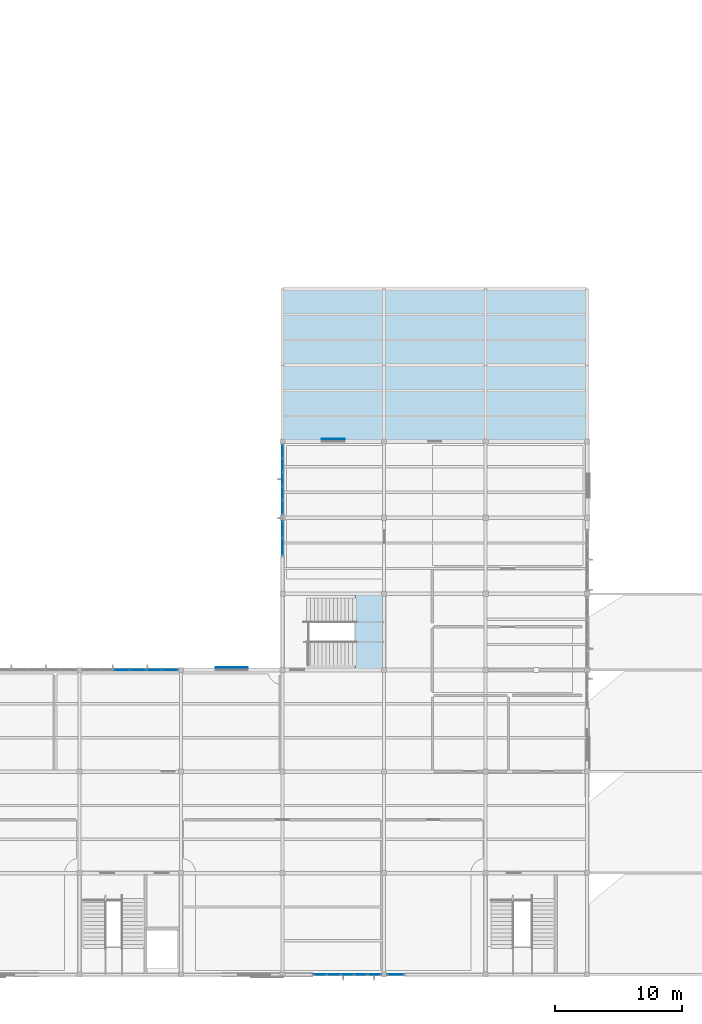
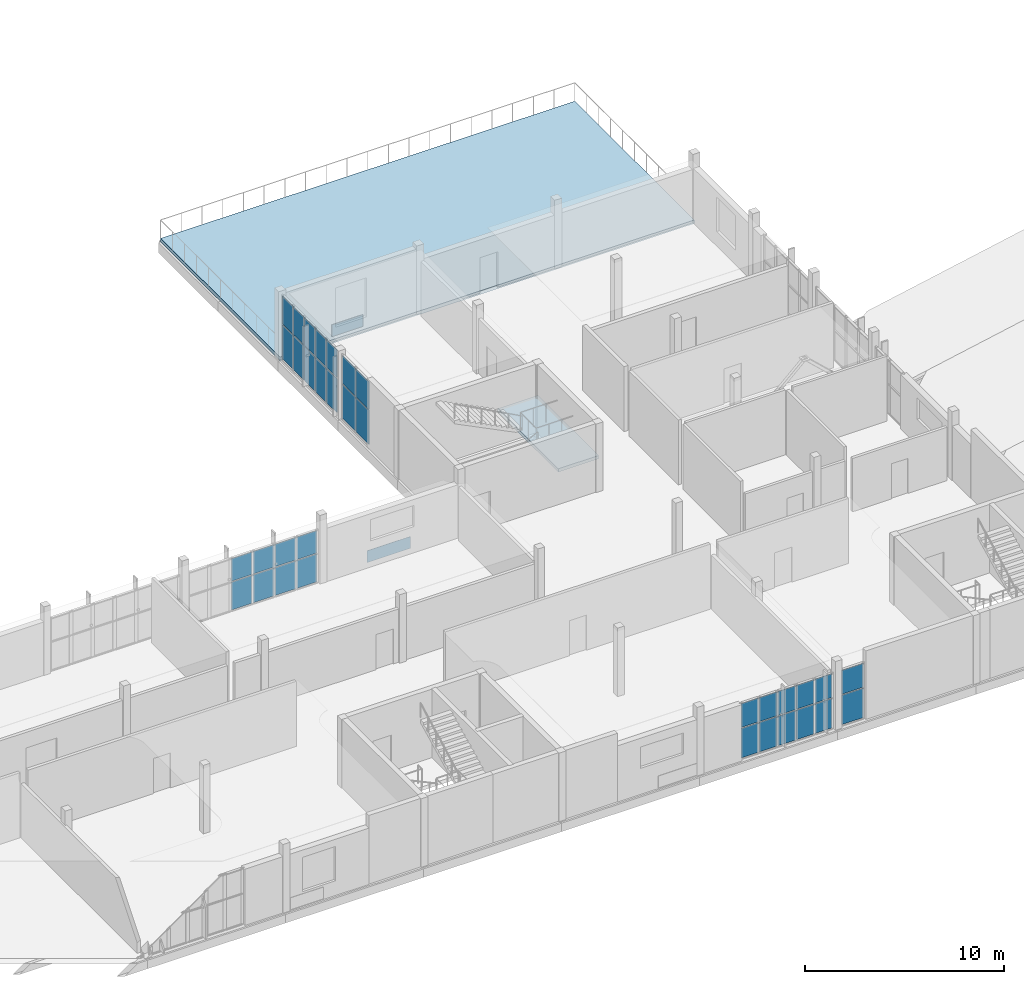
# One storey, part 28 of 45: 36 plates, 2 slabs, 6 elements without a shape of their own.
"""IFC4 building model written with IfcOpenShell, lengths in metres."""

from ifc_helpers import new_model, si_unit, direction, frame, origin, origin_2d, place, context, subcontext, project, spatial, polyline, rectangle, outline, extrude, material, layer, layer_set, type_object, element, aggregate, save


model = new_model("IFC4")

# Units and contexts
model_context = context("Model", 3, precision=1e-05, world=origin(), true_north=direction((0.0, 1.0)))
body_context = subcontext(model_context, "Body", "Model", "MODEL_VIEW")
ifc_project = project(units=[si_unit("LENGTHUNIT", "METRE"), si_unit("AREAUNIT", "SQUARE_METRE"), si_unit("VOLUMEUNIT", "CUBIC_METRE"), si_unit("PLANEANGLEUNIT", "RADIAN"), si_unit("MASSUNIT", "GRAM", prefix="KILO")], contexts=[model_context])

# Site, building, storey
site_placement = place(None, origin())
site = spatial("IfcSite", under=ifc_project, at=site_placement, CompositionType="ELEMENT")
building_placement = place(site_placement, origin())
building = spatial("IfcBuilding", under=site, at=building_placement, Name="Solvane Community Centre", CompositionType="ELEMENT")
storey_placement = place(building_placement, frame((0.0, 0.0, 13.800048828125)))
storey = spatial("IfcBuildingStorey", under=building, at=storey_placement, Name="L03", CompositionType="ELEMENT", Elevation=13.800048828125)

# Plates
ifc_material_1 = material(Name="Anodised bronze aluminium AW-6063 T6", Category="aluminium")
ifc_layer_1 = layer(ifc_material_1, 0.02392578125)
ifc_layer_set_1 = layer_set([ifc_layer_1], Name="Anodised bronze aluminium AW-6063 T6")
plate_type_1 = type_object("IfcPlateType", Name="Bronze Spandrel Cassette 24mm", PredefinedType="SHEET", material=ifc_layer_set_1)
plate_1_placement = place(storey_placement, frame((112.0, 30.18701171875, 0.06005859375), z_axis=(0.0, 0.0, 1.0), x_axis=(1.0, 0.0, 0.0)))
element("IfcPlate", 1, at=plate_1_placement, inside=storey, type_object=plate_type_1, Name="Art Deco Spandrel SPC-L03-046", PredefinedType="SHEET", context=body_context, shape_type="SweptSolid", body=[
    extrude(rectangle(XDim=2.5, YDim=0.02392578125, at=origin_2d()), origin(), (0.0, 0.0, 1.0), 0.719970703125),
])
plate_2_placement = place(storey_placement, frame((120.0, 48.18701171875, 0.06005859375), z_axis=(0.0, 0.0, 1.0), x_axis=(1.0, 0.0, 0.0)))
element("IfcPlate", 2, at=plate_2_placement, inside=storey, type_object=plate_type_1, Name="Art Deco Spandrel SPC-L03-047", PredefinedType="SHEET", context=body_context, shape_type="SweptSolid", body=[
    extrude(rectangle(XDim=1.800048828125, YDim=0.02392578125, at=origin_2d()), origin(), (0.0, 0.0, 1.0), 0.719970703125),
])

# Curtain wall, plates
ifc_layer_2 = layer(ifc_material_1, 0.199951171875)
ifc_layer_set_2 = layer_set([ifc_layer_2], Name="Anodised bronze aluminium AW-6063 T6")
curtain_wall_type_1 = type_object("IfcCurtainWallType", Name="Courtyard Cloister Curtain Wall [14x34dm]", PredefinedType="NOTDEFINED", material=ifc_layer_set_2)
curtain_wall_1_placement = place(storey_placement, origin())
curtain_wall_1 = element("IfcCurtainWall", 3, at=curtain_wall_1_placement, inside=storey, type_object=curtain_wall_type_1, Name="Curtain Wall CW-L03-1256_60-215", PredefinedType="NOTDEFINED")
ifc_material_2 = material(Name="Tempered low-E double glazing", Category="glass")
ifc_layer_3 = layer(ifc_material_2, 0.028076171875)
ifc_layer_set_3 = layer_set([ifc_layer_3], Name="Tempered low-E double glazing")
plate_type_2 = type_object("IfcPlateType", Name="Cloister Vision Glazing Panel 28mm [14x34dm]", PredefinedType="CURTAIN_PANEL", material=ifc_layer_set_3)
plate_3_placement = place(storey_placement, frame((124.907470703125, 6.0, 0.06005859375), z_axis=(0.0, 0.0, 1.0), x_axis=(-1.0, 0.0, 0.0)))
plate_3 = element("IfcPlate", 4, at=plate_3_placement, type_object=plate_type_2, Name="CW03-14x34 panel 1.1", PredefinedType="CURTAIN_PANEL", context=body_context, shape_type="SweptSolid", body=[
    extrude(rectangle(XDim=1.264892578125, YDim=0.028076171875, at=origin_2d()), origin(), (0.0, 0.0, 1.0), 1.804931640625),
])
plate_4_placement = place(storey_placement, frame((124.907470703125, 6.0, 1.925048828125), z_axis=(0.0, 0.0, 1.0), x_axis=(-1.0, 0.0, 0.0)))
plate_4 = element("IfcPlate", 5, at=plate_4_placement, type_object=plate_type_2, Name="CW03-14x34 panel 1.2", PredefinedType="CURTAIN_PANEL", context=body_context, shape_type="SweptSolid", body=[
    extrude(rectangle(XDim=1.264892578125, YDim=0.028076171875, at=origin_2d()), origin(), (0.0, 0.0, 1.0), 1.4599609375),
])
aggregate(curtain_wall_1, [plate_3, plate_4])

ifc_layer_4 = layer(ifc_material_1, 0.199951171875)
ifc_layer_set_4 = layer_set([ifc_layer_4], Name="Anodised bronze aluminium AW-6063 T6")
curtain_wall_type_2 = type_object("IfcCurtainWallType", Name="Courtyard Cloister Curtain Wall [28x40dm]", PredefinedType="NOTDEFINED", material=ifc_layer_set_4)
curtain_wall_2_placement = place(storey_placement, origin())
curtain_wall_2 = element("IfcCurtainWall", 6, at=curtain_wall_2_placement, inside=storey, type_object=curtain_wall_type_2, Name="Curtain Wall CW-L03-1160_390-225", PredefinedType="NOTDEFINED")
ifc_layer_5 = layer(ifc_material_2, 0.028076171875)
ifc_layer_set_5 = layer_set([ifc_layer_5], Name="Tempered low-E double glazing")
plate_type_3 = type_object("IfcPlateType", Name="Cloister Vision Glazing Panel 28mm [28x40dm]", PredefinedType="CURTAIN_PANEL", material=ifc_layer_set_5)
plate_5_placement = place(storey_placement, frame((116.0, 39.708740234375, 0.059814453125), z_axis=(0.0, 0.0, 1.0), x_axis=(0.0, 1.0, 0.0)))
plate_5 = element("IfcPlate", 7, at=plate_5_placement, type_object=plate_type_3, Name="CW03-28x40 panel 1.1", PredefinedType="CURTAIN_PANEL", context=body_context, shape_type="SweptSolid", body=[
    extrude(rectangle(XDim=1.297607421875, YDim=0.028076171875, at=origin_2d()), origin(), (0.0, 0.0, 1.0), 2.09912109375),
])
plate_6_placement = place(storey_placement, frame((116.0, 39.708740234375, 2.21875), z_axis=(0.0, 0.0, 1.0), x_axis=(0.0, 1.0, 0.0)))
plate_6 = element("IfcPlate", 8, at=plate_6_placement, type_object=plate_type_3, Name="CW03-28x40 panel 1.2", PredefinedType="CURTAIN_PANEL", context=body_context, shape_type="SweptSolid", body=[
    extrude(rectangle(XDim=1.297607421875, YDim=0.028076171875, at=origin_2d()), origin(), (0.0, 0.0, 1.0), 1.700927734375),
])
plate_7_placement = place(storey_placement, frame((116.0, 41.066162109375, 0.059814453125), z_axis=(0.0, 0.0, 1.0), x_axis=(0.0, 1.0, 0.0)))
plate_7 = element("IfcPlate", 9, at=plate_7_placement, type_object=plate_type_3, Name="CW03-28x40 panel 2.1", PredefinedType="CURTAIN_PANEL", context=body_context, shape_type="SweptSolid", body=[
    extrude(rectangle(XDim=1.297607421875, YDim=0.028076171875, at=origin_2d()), origin(), (0.0, 0.0, 1.0), 2.09912109375),
])
plate_8_placement = place(storey_placement, frame((116.0, 41.066162109375, 2.21875), z_axis=(0.0, 0.0, 1.0), x_axis=(0.0, 1.0, 0.0)))
plate_8 = element("IfcPlate", 10, at=plate_8_placement, type_object=plate_type_3, Name="CW03-28x40 panel 2.2", PredefinedType="CURTAIN_PANEL", context=body_context, shape_type="SweptSolid", body=[
    extrude(rectangle(XDim=1.297607421875, YDim=0.028076171875, at=origin_2d()), origin(), (0.0, 0.0, 1.0), 1.700927734375),
])
aggregate(curtain_wall_2, [plate_5, plate_6, plate_7, plate_8])

ifc_layer_6 = layer(ifc_material_1, 0.199951171875)
ifc_layer_set_6 = layer_set([ifc_layer_6], Name="Anodised bronze aluminium AW-6063 T6")
curtain_wall_type_3 = type_object("IfcCurtainWallType", Name="Courtyard Cloister Curtain Wall [54x34dm]", PredefinedType="NOTDEFINED", material=ifc_layer_set_6)
curtain_wall_3_placement = place(storey_placement, origin())
curtain_wall_3 = element("IfcCurtainWall", 11, at=curtain_wall_3_placement, inside=storey, type_object=curtain_wall_type_3, Name="Curtain Wall CW-L03-1238_60-216", PredefinedType="NOTDEFINED")
ifc_layer_7 = layer(ifc_material_2, 0.028076171875)
ifc_layer_set_7 = layer_set([ifc_layer_7], Name="Tempered low-E double glazing")
plate_type_4 = type_object("IfcPlateType", Name="Cloister Vision Glazing Panel 28mm [54x34dm]", PredefinedType="CURTAIN_PANEL", material=ifc_layer_set_7)
plate_9_placement = place(storey_placement, frame((123.2314453125, 6.0, 0.06005859375), z_axis=(0.0, 0.0, 1.0), x_axis=(-1.0, 0.0, 0.0)))
plate_9 = element("IfcPlate", 12, at=plate_9_placement, type_object=plate_type_4, Name="CW03-54x34 panel 1.1", PredefinedType="CURTAIN_PANEL", context=body_context, shape_type="SweptSolid", body=[
    extrude(rectangle(XDim=0.987060546875, YDim=0.028076171875, at=origin_2d()), origin(), (0.0, 0.0, 1.0), 1.804931640625),
])
plate_10_placement = place(storey_placement, frame((123.2314453125, 6.0, 1.925048828125), z_axis=(0.0, 0.0, 1.0), x_axis=(-1.0, 0.0, 0.0)))
plate_10 = element("IfcPlate", 13, at=plate_10_placement, type_object=plate_type_4, Name="CW03-54x34 panel 1.2", PredefinedType="CURTAIN_PANEL", context=body_context, shape_type="SweptSolid", body=[
    extrude(rectangle(XDim=0.987060546875, YDim=0.028076171875, at=origin_2d()), origin(), (0.0, 0.0, 1.0), 1.4599609375),
])
plate_11_placement = place(storey_placement, frame((122.16943359375, 6.0, 0.06005859375), z_axis=(0.0, 0.0, 1.0), x_axis=(-1.0, 0.0, 0.0)))
plate_11 = element("IfcPlate", 14, at=plate_11_placement, type_object=plate_type_4, Name="CW03-54x34 panel 2.1", PredefinedType="CURTAIN_PANEL", context=body_context, shape_type="SweptSolid", body=[
    extrude(rectangle(XDim=1.01708984375, YDim=0.028076171875, at=origin_2d()), origin(), (0.0, 0.0, 1.0), 1.804931640625),
])
plate_12_placement = place(storey_placement, frame((122.16943359375, 6.0, 1.925048828125), z_axis=(0.0, 0.0, 1.0), x_axis=(-1.0, 0.0, 0.0)))
plate_12 = element("IfcPlate", 15, at=plate_12_placement, type_object=plate_type_4, Name="CW03-54x34 panel 2.2", PredefinedType="CURTAIN_PANEL", context=body_context, shape_type="SweptSolid", body=[
    extrude(rectangle(XDim=1.01708984375, YDim=0.028076171875, at=origin_2d()), origin(), (0.0, 0.0, 1.0), 1.4599609375),
])
plate_13_placement = place(storey_placement, frame((121.092529296875, 6.0, 0.06005859375), z_axis=(0.0, 0.0, 1.0), x_axis=(-1.0, 0.0, 0.0)))
plate_13 = element("IfcPlate", 16, at=plate_13_placement, type_object=plate_type_4, Name="CW03-54x34 panel 3.1", PredefinedType="CURTAIN_PANEL", context=body_context, shape_type="SweptSolid", body=[
    extrude(rectangle(XDim=1.01708984375, YDim=0.028076171875, at=origin_2d()), origin(), (0.0, 0.0, 1.0), 1.804931640625),
])
plate_14_placement = place(storey_placement, frame((121.092529296875, 6.0, 1.925048828125), z_axis=(0.0, 0.0, 1.0), x_axis=(-1.0, 0.0, 0.0)))
plate_14 = element("IfcPlate", 17, at=plate_14_placement, type_object=plate_type_4, Name="CW03-54x34 panel 3.2", PredefinedType="CURTAIN_PANEL", context=body_context, shape_type="SweptSolid", body=[
    extrude(rectangle(XDim=1.01708984375, YDim=0.028076171875, at=origin_2d()), origin(), (0.0, 0.0, 1.0), 1.4599609375),
])
plate_15_placement = place(storey_placement, frame((120.015380859375, 6.0, 0.06005859375), z_axis=(0.0, 0.0, 1.0), x_axis=(-1.0, 0.0, 0.0)))
plate_15 = element("IfcPlate", 18, at=plate_15_placement, type_object=plate_type_4, Name="CW03-54x34 panel 4.1", PredefinedType="CURTAIN_PANEL", context=body_context, shape_type="SweptSolid", body=[
    extrude(rectangle(XDim=1.01708984375, YDim=0.028076171875, at=origin_2d()), origin(), (0.0, 0.0, 1.0), 1.804931640625),
])
plate_16_placement = place(storey_placement, frame((120.015380859375, 6.0, 1.925048828125), z_axis=(0.0, 0.0, 1.0), x_axis=(-1.0, 0.0, 0.0)))
plate_16 = element("IfcPlate", 19, at=plate_16_placement, type_object=plate_type_4, Name="CW03-54x34 panel 4.2", PredefinedType="CURTAIN_PANEL", context=body_context, shape_type="SweptSolid", body=[
    extrude(rectangle(XDim=1.01708984375, YDim=0.028076171875, at=origin_2d()), origin(), (0.0, 0.0, 1.0), 1.4599609375),
])
plate_17_placement = place(storey_placement, frame((118.95361328125, 6.0, 0.06005859375), z_axis=(0.0, 0.0, 1.0), x_axis=(-1.0, 0.0, 0.0)))
plate_17 = element("IfcPlate", 20, at=plate_17_placement, type_object=plate_type_4, Name="CW03-54x34 panel 5.1", PredefinedType="CURTAIN_PANEL", context=body_context, shape_type="SweptSolid", body=[
    extrude(rectangle(XDim=0.987060546875, YDim=0.028076171875, at=origin_2d()), origin(), (0.0, 0.0, 1.0), 1.804931640625),
])
plate_18_placement = place(storey_placement, frame((118.95361328125, 6.0, 1.925048828125), z_axis=(0.0, 0.0, 1.0), x_axis=(-1.0, 0.0, 0.0)))
plate_18 = element("IfcPlate", 21, at=plate_18_placement, type_object=plate_type_4, Name="CW03-54x34 panel 5.2", PredefinedType="CURTAIN_PANEL", context=body_context, shape_type="SweptSolid", body=[
    extrude(rectangle(XDim=0.987060546875, YDim=0.028076171875, at=origin_2d()), origin(), (0.0, 0.0, 1.0), 1.4599609375),
])
aggregate(curtain_wall_3, [plate_9, plate_10, plate_11, plate_12, plate_13, plate_14, plate_15, plate_16, plate_17, plate_18])

ifc_layer_8 = layer(ifc_material_1, 0.199951171875)
ifc_layer_set_8 = layer_set([ifc_layer_8], Name="Anodised bronze aluminium AW-6063 T6")
curtain_wall_type_4 = type_object("IfcCurtainWallType", Name="Courtyard Cloister Curtain Wall [55x40dm]", PredefinedType="NOTDEFINED", material=ifc_layer_set_8)
curtain_wall_4_placement = place(storey_placement, origin())
curtain_wall_4 = element("IfcCurtainWall", 22, at=curtain_wall_4_placement, inside=storey, type_object=curtain_wall_type_4, Name="Curtain Wall CW-L03-1160_422-226", PredefinedType="NOTDEFINED")
ifc_layer_9 = layer(ifc_material_2, 0.028076171875)
ifc_layer_set_9 = layer_set([ifc_layer_9], Name="Tempered low-E double glazing")
plate_type_5 = type_object("IfcPlateType", Name="Cloister Vision Glazing Panel 28mm [55x40dm]", PredefinedType="CURTAIN_PANEL", material=ifc_layer_set_9)
plate_19_placement = place(storey_placement, frame((116.0, 42.794921875, 0.059814453125), z_axis=(0.0, 0.0, 1.0), x_axis=(0.0, 1.0, 0.0)))
plate_19 = element("IfcPlate", 23, at=plate_19_placement, type_object=plate_type_5, Name="CW03-55x40 panel 1.1", PredefinedType="CURTAIN_PANEL", context=body_context, shape_type="SweptSolid", body=[
    extrude(rectangle(XDim=1.02001953125, YDim=0.028076171875, at=origin_2d()), origin(), (0.0, 0.0, 1.0), 2.09912109375),
])
plate_20_placement = place(storey_placement, frame((116.0, 42.794921875, 2.21875), z_axis=(0.0, 0.0, 1.0), x_axis=(0.0, 1.0, 0.0)))
plate_20 = element("IfcPlate", 24, at=plate_20_placement, type_object=plate_type_5, Name="CW03-55x40 panel 1.2", PredefinedType="CURTAIN_PANEL", context=body_context, shape_type="SweptSolid", body=[
    extrude(rectangle(XDim=1.02001953125, YDim=0.028076171875, at=origin_2d()), origin(), (0.0, 0.0, 1.0), 1.700927734375),
])
plate_21_placement = place(storey_placement, frame((116.0, 43.889892578125, 0.059814453125), z_axis=(0.0, 0.0, 1.0), x_axis=(0.0, 1.0, 0.0)))
plate_21 = element("IfcPlate", 25, at=plate_21_placement, type_object=plate_type_5, Name="CW03-55x40 panel 2.1", PredefinedType="CURTAIN_PANEL", context=body_context, shape_type="SweptSolid", body=[
    extrude(rectangle(XDim=1.050048828125, YDim=0.028076171875, at=origin_2d()), origin(), (0.0, 0.0, 1.0), 2.09912109375),
])
plate_22_placement = place(storey_placement, frame((116.0, 43.889892578125, 2.21875), z_axis=(0.0, 0.0, 1.0), x_axis=(0.0, 1.0, 0.0)))
plate_22 = element("IfcPlate", 26, at=plate_22_placement, type_object=plate_type_5, Name="CW03-55x40 panel 2.2", PredefinedType="CURTAIN_PANEL", context=body_context, shape_type="SweptSolid", body=[
    extrude(rectangle(XDim=1.050048828125, YDim=0.028076171875, at=origin_2d()), origin(), (0.0, 0.0, 1.0), 1.700927734375),
])
plate_23_placement = place(storey_placement, frame((116.0, 45.0, 0.059814453125), z_axis=(0.0, 0.0, 1.0), x_axis=(0.0, 1.0, 0.0)))
plate_23 = element("IfcPlate", 27, at=plate_23_placement, type_object=plate_type_5, Name="CW03-55x40 panel 3.1", PredefinedType="CURTAIN_PANEL", context=body_context, shape_type="SweptSolid", body=[
    extrude(rectangle(XDim=1.050048828125, YDim=0.028076171875, at=origin_2d()), origin(), (0.0, 0.0, 1.0), 2.09912109375),
])
plate_24_placement = place(storey_placement, frame((116.0, 45.0, 2.21875), z_axis=(0.0, 0.0, 1.0), x_axis=(0.0, 1.0, 0.0)))
plate_24 = element("IfcPlate", 28, at=plate_24_placement, type_object=plate_type_5, Name="CW03-55x40 panel 3.2", PredefinedType="CURTAIN_PANEL", context=body_context, shape_type="SweptSolid", body=[
    extrude(rectangle(XDim=1.050048828125, YDim=0.028076171875, at=origin_2d()), origin(), (0.0, 0.0, 1.0), 1.700927734375),
])
plate_25_placement = place(storey_placement, frame((116.0, 46.110107421875, 0.059814453125), z_axis=(0.0, 0.0, 1.0), x_axis=(0.0, 1.0, 0.0)))
plate_25 = element("IfcPlate", 29, at=plate_25_placement, type_object=plate_type_5, Name="CW03-55x40 panel 4.1", PredefinedType="CURTAIN_PANEL", context=body_context, shape_type="SweptSolid", body=[
    extrude(rectangle(XDim=1.050048828125, YDim=0.028076171875, at=origin_2d()), origin(), (0.0, 0.0, 1.0), 2.09912109375),
])
plate_26_placement = place(storey_placement, frame((116.0, 46.110107421875, 2.21875), z_axis=(0.0, 0.0, 1.0), x_axis=(0.0, 1.0, 0.0)))
plate_26 = element("IfcPlate", 30, at=plate_26_placement, type_object=plate_type_5, Name="CW03-55x40 panel 4.2", PredefinedType="CURTAIN_PANEL", context=body_context, shape_type="SweptSolid", body=[
    extrude(rectangle(XDim=1.050048828125, YDim=0.028076171875, at=origin_2d()), origin(), (0.0, 0.0, 1.0), 1.700927734375),
])
plate_27_placement = place(storey_placement, frame((116.0, 47.205078125, 0.059814453125), z_axis=(0.0, 0.0, 1.0), x_axis=(0.0, 1.0, 0.0)))
plate_27 = element("IfcPlate", 31, at=plate_27_placement, type_object=plate_type_5, Name="CW03-55x40 panel 5.1", PredefinedType="CURTAIN_PANEL", context=body_context, shape_type="SweptSolid", body=[
    extrude(rectangle(XDim=1.02001953125, YDim=0.028076171875, at=origin_2d()), origin(), (0.0, 0.0, 1.0), 2.09912109375),
])
plate_28_placement = place(storey_placement, frame((116.0, 47.205078125, 2.21875), z_axis=(0.0, 0.0, 1.0), x_axis=(0.0, 1.0, 0.0)))
plate_28 = element("IfcPlate", 32, at=plate_28_placement, type_object=plate_type_5, Name="CW03-55x40 panel 5.2", PredefinedType="CURTAIN_PANEL", context=body_context, shape_type="SweptSolid", body=[
    extrude(rectangle(XDim=1.02001953125, YDim=0.028076171875, at=origin_2d()), origin(), (0.0, 0.0, 1.0), 1.700927734375),
])
aggregate(curtain_wall_4, [plate_19, plate_20, plate_21, plate_22, plate_23, plate_24, plate_25, plate_26, plate_27, plate_28])

ifc_layer_10 = layer(ifc_material_1, 0.199951171875)
ifc_layer_set_10 = layer_set([ifc_layer_10], Name="Anodised bronze aluminium AW-6063 T6")
curtain_wall_type_5 = type_object("IfcCurtainWallType", Name="Courtyard Cloister Curtain Wall [76x33dm]", PredefinedType="NOTDEFINED", material=ifc_layer_set_10)
curtain_wall_5_placement = place(storey_placement, origin())
curtain_wall_5 = element("IfcCurtainWall", 33, at=curtain_wall_5_placement, inside=storey, type_object=curtain_wall_type_5, Name="Curtain Wall CW-L03-1002_300-224", PredefinedType="NOTDEFINED")
ifc_layer_11 = layer(ifc_material_2, 0.028076171875)
ifc_layer_set_11 = layer_set([ifc_layer_11], Name="Tempered low-E double glazing")
plate_type_6 = type_object("IfcPlateType", Name="Cloister Vision Glazing Panel 28mm [76x33dm]", PredefinedType="CURTAIN_PANEL", material=ifc_layer_set_11)
plate_29_placement = place(storey_placement, frame((103.369140625, 30.0, 0.059814453125), z_axis=(0.0, 0.0, 1.0), x_axis=(1.0, 0.0, 0.0)))
plate_29 = element("IfcPlate", 34, at=plate_29_placement, type_object=plate_type_6, Name="CW03-76x33 panel 3.1", PredefinedType="CURTAIN_PANEL", context=body_context, shape_type="SweptSolid", body=[
    extrude(rectangle(XDim=1.20166015625, YDim=0.028076171875, at=origin_2d()), origin(), (0.0, 0.0, 1.0), 1.7060546875),
])
plate_30_placement = place(storey_placement, frame((103.369140625, 30.0, 1.825927734375), z_axis=(0.0, 0.0, 1.0), x_axis=(1.0, 0.0, 0.0)))
plate_30 = element("IfcPlate", 35, at=plate_30_placement, type_object=plate_type_6, Name="CW03-76x33 panel 3.2", PredefinedType="CURTAIN_PANEL", context=body_context, shape_type="SweptSolid", body=[
    extrude(rectangle(XDim=1.20166015625, YDim=0.028076171875, at=origin_2d()), origin(), (0.0, 0.0, 1.0), 1.37890625),
])
plate_31_placement = place(storey_placement, frame((104.630859375, 30.0, 0.059814453125), z_axis=(0.0, 0.0, 1.0), x_axis=(1.0, 0.0, 0.0)))
plate_31 = element("IfcPlate", 36, at=plate_31_placement, type_object=plate_type_6, Name="CW03-76x33 panel 4.1", PredefinedType="CURTAIN_PANEL", context=body_context, shape_type="SweptSolid", body=[
    extrude(rectangle(XDim=1.20166015625, YDim=0.028076171875, at=origin_2d()), origin(), (0.0, 0.0, 1.0), 1.7060546875),
])
plate_32_placement = place(storey_placement, frame((104.630859375, 30.0, 1.825927734375), z_axis=(0.0, 0.0, 1.0), x_axis=(1.0, 0.0, 0.0)))
plate_32 = element("IfcPlate", 37, at=plate_32_placement, type_object=plate_type_6, Name="CW03-76x33 panel 4.2", PredefinedType="CURTAIN_PANEL", context=body_context, shape_type="SweptSolid", body=[
    extrude(rectangle(XDim=1.20166015625, YDim=0.028076171875, at=origin_2d()), origin(), (0.0, 0.0, 1.0), 1.37890625),
])
plate_33_placement = place(storey_placement, frame((105.892578125, 30.0, 0.059814453125), z_axis=(0.0, 0.0, 1.0), x_axis=(1.0, 0.0, 0.0)))
plate_33 = element("IfcPlate", 38, at=plate_33_placement, type_object=plate_type_6, Name="CW03-76x33 panel 5.1", PredefinedType="CURTAIN_PANEL", context=body_context, shape_type="SweptSolid", body=[
    extrude(rectangle(XDim=1.20166015625, YDim=0.028076171875, at=origin_2d()), origin(), (0.0, 0.0, 1.0), 1.7060546875),
])
plate_34_placement = place(storey_placement, frame((105.892578125, 30.0, 1.825927734375), z_axis=(0.0, 0.0, 1.0), x_axis=(1.0, 0.0, 0.0)))
plate_34 = element("IfcPlate", 39, at=plate_34_placement, type_object=plate_type_6, Name="CW03-76x33 panel 5.2", PredefinedType="CURTAIN_PANEL", context=body_context, shape_type="SweptSolid", body=[
    extrude(rectangle(XDim=1.20166015625, YDim=0.028076171875, at=origin_2d()), origin(), (0.0, 0.0, 1.0), 1.37890625),
])
plate_35_placement = place(storey_placement, frame((107.13916015625, 30.0, 0.059814453125), z_axis=(0.0, 0.0, 1.0), x_axis=(1.0, 0.0, 0.0)))
plate_35 = element("IfcPlate", 40, at=plate_35_placement, type_object=plate_type_6, Name="CW03-76x33 panel 6.1", PredefinedType="CURTAIN_PANEL", context=body_context, shape_type="SweptSolid", body=[
    extrude(rectangle(XDim=1.171630859375, YDim=0.028076171875, at=origin_2d()), origin(), (0.0, 0.0, 1.0), 1.7060546875),
])
plate_36_placement = place(storey_placement, frame((107.13916015625, 30.0, 1.825927734375), z_axis=(0.0, 0.0, 1.0), x_axis=(1.0, 0.0, 0.0)))
plate_36 = element("IfcPlate", 41, at=plate_36_placement, type_object=plate_type_6, Name="CW03-76x33 panel 6.2", PredefinedType="CURTAIN_PANEL", context=body_context, shape_type="SweptSolid", body=[
    extrude(rectangle(XDim=1.171630859375, YDim=0.028076171875, at=origin_2d()), origin(), (0.0, 0.0, 1.0), 1.37890625),
])
aggregate(curtain_wall_5, [plate_29, plate_30, plate_31, plate_32, plate_33, plate_34, plate_35, plate_36])

# Slab
ifc_material_3 = material(Name="Concrete C35/45", Category="concrete")
ifc_layer_12 = layer(ifc_material_3, 0.219970703125)
ifc_layer_set_12 = layer_set([ifc_layer_12], Name="Concrete C35/45")
slab_type_1 = type_object("IfcSlabType", Name="Insulated Planted Terrace Slab 220mm [TER-L03-V4N]", PredefinedType="FLOOR", material=ifc_layer_set_12)
slab_1_placement = place(storey_placement, frame((0.0, 0.0, -0.219970703125)))
element("IfcSlab", 42, at=slab_1_placement, inside=storey, type_object=slab_type_1, Name="Courtyard North-East Roof Garden", PredefinedType="FLOOR", context=body_context, shape_type="SweptSolid", body=[
    extrude(outline(polyline([(116.0, 48.0), (140.0, 48.0), (140.0, 60.0), (116.0, 60.0), (116.0, 48.0)])), origin(), (0.0, 0.0, 1.0), 0.219970703125),
])

# Stair, slab
stair_type = type_object("IfcStairType", Name="RC Two-Flight Escape Stair 1880mm", PredefinedType="TWO_STRAIGHT_RUN_STAIR", material=ifc_material_3)
stair_placement = place(storey_placement, origin())
stair = element("IfcStair", 43, at=stair_placement, inside=storey, type_object=stair_type, Name="Stair STR-C4-L03", PredefinedType="TWO_STRAIGHT_RUN_STAIR")
ifc_layer_13 = layer(ifc_material_3, 0.199951171875)
ifc_layer_set_13 = layer_set([ifc_layer_13], Name="Concrete C35/45")
slab_type_2 = type_object("IfcSlabType", Name="RC Stair Half-Landing Slab 200mm", PredefinedType="LANDING", material=ifc_layer_set_13)
slab_2_placement = place(storey_placement, frame((0.0, 0.0, 1.89990234375)))
slab_2 = element("IfcSlab", 44, at=slab_2_placement, type_object=slab_type_2, Name="ST-06 landing 1", PredefinedType="LANDING", context=body_context, shape_type="SweptSolid", body=[
    extrude(outline(polyline([(121.699951171875, 29.9599609375), (124.0400390625, 29.9599609375), (124.0400390625, 36.0400390625), (121.699951171875, 36.0400390625), (121.699951171875, 29.9599609375)])), origin(), (0.0, 0.0, 1.0), 0.199951171875),
])
aggregate(stair, [slab_2])

save(model, "model.ifc")
